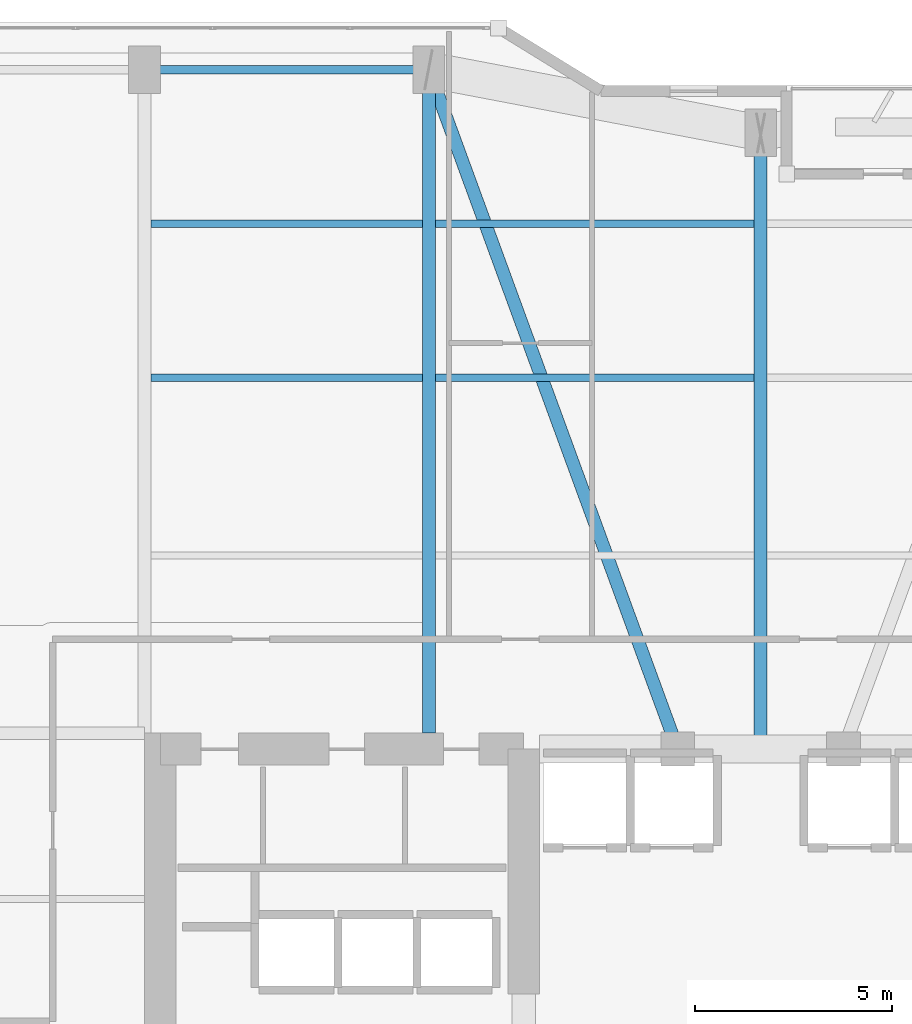
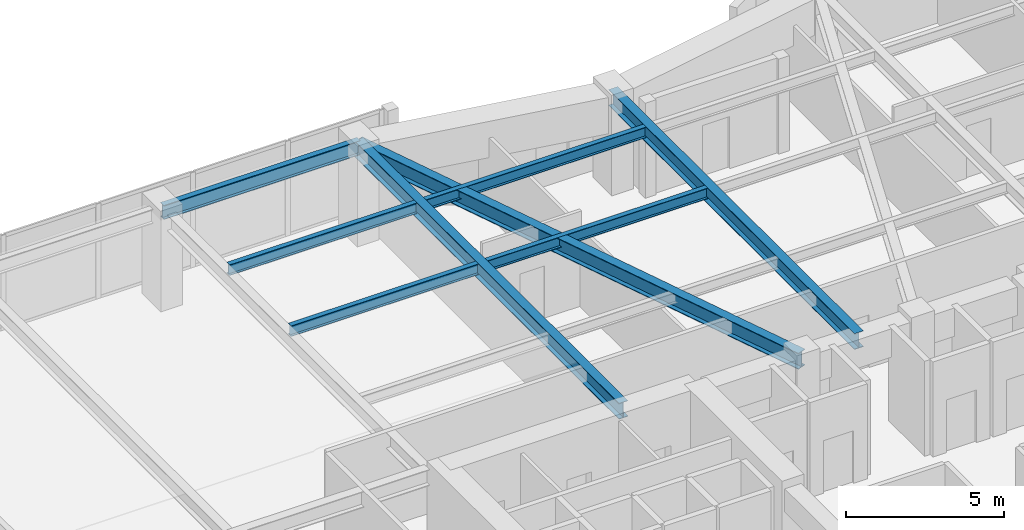
# One storey, part 18 of 30: 8 beams.
"""IFC4 building model written with IfcOpenShell, lengths in metres."""

from ifc_helpers import new_model, si_unit, direction, frame, origin, origin_2d, place, context, subcontext, project, spatial, i_section, extrude, material, material_profile, profile_set, type_object, element, save


model = new_model("IFC4")

# Units and contexts
model_context = context("Model", 3, precision=1e-05, world=origin(), true_north=direction((0.0, 1.0)))
body_context = subcontext(model_context, "Body", "Model", "MODEL_VIEW")
ifc_project = project(units=[si_unit("LENGTHUNIT", "METRE"), si_unit("AREAUNIT", "SQUARE_METRE"), si_unit("VOLUMEUNIT", "CUBIC_METRE"), si_unit("PLANEANGLEUNIT", "RADIAN"), si_unit("MASSUNIT", "GRAM", prefix="KILO")], contexts=[model_context])

# Site, building, storey
site_placement = place(None, origin())
site = spatial("IfcSite", under=ifc_project, at=site_placement, CompositionType="ELEMENT")
building_placement = place(site_placement, origin())
building = spatial("IfcBuilding", under=site, at=building_placement, Name="Kiyonajd Concourse Tower", CompositionType="ELEMENT")
storey_placement = place(building_placement, frame((0.0, 0.0, 154.5)))
storey = spatial("IfcBuildingStorey", under=building, at=storey_placement, Name="L39", CompositionType="ELEMENT", Elevation=154.5)

# Beams
ifc_material = material(Name="Steel ASTM A992 Grade 50", Category="steel")
ifc_material_profile_1 = material_profile(ifc_material, i_section(OverallWidth=0.180908203125, OverallDepth=0.4169921875, WebThickness=0.010986328125, FlangeThickness=0.018310546875, at=origin_2d()), Name="W410X85")
ifc_profile_set_1 = profile_set([ifc_material_profile_1], Name="Steel ASTM A992 Grade 50")
beam_type_1 = type_object("IfcBeamType", Name="BM-JST-410", PredefinedType="JOIST", material=ifc_profile_set_1)
beam_1_placement = place(storey_placement, frame((32.5634765625, 53.39990234375, 3.471435546875), z_axis=(1.0, 0.0, 0.0), x_axis=(0.0, 1.0, 0.0)))
element("IfcBeam", 1, at=beam_1_placement, inside=storey, type_object=beam_type_1, Name="L39 Secondary Floor Joist", PredefinedType="JOIST", context=body_context, shape_type="SweptSolid", body=[
    extrude(i_section(OverallWidth=0.180908203125, OverallDepth=0.4169921875, WebThickness=0.010986328125, FlangeThickness=0.018310546875, at=origin_2d()), origin(), (0.0, 0.0, 1.0), 6.873046875),
])
beam_2_placement = place(storey_placement, frame((39.763427734375, 53.39990234375, 3.471435546875), z_axis=(1.0, 0.0, 0.0), x_axis=(0.0, 1.0, 0.0)))
element("IfcBeam", 2, at=beam_2_placement, inside=storey, type_object=beam_type_1, Name="L39 Secondary Floor Joist", PredefinedType="JOIST", context=body_context, shape_type="SweptSolid", body=[
    extrude(i_section(OverallWidth=0.180908203125, OverallDepth=0.4169921875, WebThickness=0.010986328125, FlangeThickness=0.018310546875, at=origin_2d()), origin(), (0.0, 0.0, 1.0), 8.072998046875),
])
beam_3_placement = place(storey_placement, frame((32.5634765625, 57.300048828125, 3.471435546875), z_axis=(1.0, 0.0, 0.0), x_axis=(0.0, 1.0, 0.0)))
element("IfcBeam", 3, at=beam_3_placement, inside=storey, type_object=beam_type_1, Name="L39 Secondary Floor Joist", PredefinedType="JOIST", context=body_context, shape_type="SweptSolid", body=[
    extrude(i_section(OverallWidth=0.180908203125, OverallDepth=0.4169921875, WebThickness=0.010986328125, FlangeThickness=0.018310546875, at=origin_2d()), origin(), (0.0, 0.0, 1.0), 6.873046875),
])
beam_4_placement = place(storey_placement, frame((39.763427734375, 57.300048828125, 3.471435546875), z_axis=(1.0, 0.0, 0.0), x_axis=(0.0, 1.0, 0.0)))
element("IfcBeam", 4, at=beam_4_placement, inside=storey, type_object=beam_type_1, Name="L39 Secondary Floor Joist", PredefinedType="JOIST", context=body_context, shape_type="SweptSolid", body=[
    extrude(i_section(OverallWidth=0.180908203125, OverallDepth=0.4169921875, WebThickness=0.010986328125, FlangeThickness=0.018310546875, at=origin_2d()), origin(), (0.0, 0.0, 1.0), 8.072998046875),
])
ifc_material_profile_2 = material_profile(ifc_material, i_section(OverallWidth=0.214111328125, OverallDepth=0.549072265625, WebThickness=0.0146484375, FlangeThickness=0.023681640625, at=origin_2d()), Name="W530X138")
ifc_profile_set_2 = profile_set([ifc_material_profile_2], Name="Steel ASTM A992 Grade 50")
beam_type_2 = type_object("IfcBeamType", Name="BM-SPAN-530A", PredefinedType="SPANDREL", material=ifc_profile_set_2)
beam_5_placement = place(storey_placement, frame((39.60009765625, 61.199951171875, 3.405517578125), z_axis=(-1.0, 0.0, 0.0), x_axis=(0.0, -1.0, 0.0)))
element("IfcBeam", 5, at=beam_5_placement, inside=storey, type_object=beam_type_2, Name="L39 Perimeter Bundled Tube Spandrel", PredefinedType="SPANDREL", context=body_context, shape_type="SweptSolid", body=[
    extrude(i_section(OverallWidth=0.214111328125, OverallDepth=0.549072265625, WebThickness=0.0146484375, FlangeThickness=0.023681640625, at=origin_2d()), origin(), (0.0, 0.0, 1.0), 7.2001953125),
])
ifc_material_profile_3 = material_profile(ifc_material, i_section(OverallWidth=0.326904296875, OverallDepth=0.6220703125, WebThickness=0.015380859375, FlangeThickness=0.0244140625, at=origin_2d()), Name="W610X195")
ifc_profile_set_3 = profile_set([ifc_material_profile_3], Name="Steel ASTM A992 Grade 50")
beam_type_3 = type_object("IfcBeamType", Name="BM-TWR-610A", PredefinedType="BEAM", material=ifc_profile_set_3)
beam_6_placement = place(storey_placement, frame((39.60009765625, 61.199951171875, 3.368896484375), z_axis=(0.343925269715, -0.938997022813, 0.0), x_axis=(0.938997022813, 0.343925269715, 0.0)))
element("IfcBeam", 6, at=beam_6_placement, inside=storey, type_object=beam_type_3, Name="L39 Core Tie Girder", PredefinedType="BEAM", context=body_context, shape_type="SweptSolid", body=[
    extrude(i_section(OverallWidth=0.326904296875, OverallDepth=0.6220703125, WebThickness=0.015380859375, FlangeThickness=0.0244140625, at=origin_2d()), origin(), (0.0, 0.0, 1.0), 18.3173828125),
])
beam_7_placement = place(storey_placement, frame((39.60009765625, 44.39990234375, 3.368896484375), z_axis=(0.0, 1.0, 0.0), x_axis=(-1.0, 0.0, 0.0)))
element("IfcBeam", 7, at=beam_7_placement, inside=storey, type_object=beam_type_3, Name="L39 North Lease Girder", PredefinedType="BEAM", context=body_context, shape_type="SweptSolid", body=[
    extrude(i_section(OverallWidth=0.326904296875, OverallDepth=0.6220703125, WebThickness=0.015380859375, FlangeThickness=0.0244140625, at=origin_2d()), origin(), (0.0, 0.0, 1.0), 16.800048828125),
])
beam_8_placement = place(storey_placement, frame((48.0, 44.0, 3.368896484375), z_axis=(0.0, 1.0, 0.0), x_axis=(-1.0, 0.0, 0.0)))
element("IfcBeam", 8, at=beam_8_placement, inside=storey, type_object=beam_type_3, Name="L39 North Ribbon Girder", PredefinedType="BEAM", context=body_context, shape_type="SweptSolid", body=[
    extrude(i_section(OverallWidth=0.326904296875, OverallDepth=0.6220703125, WebThickness=0.015380859375, FlangeThickness=0.0244140625, at=origin_2d()), origin(), (0.0, 0.0, 1.0), 15.60009765625),
])

save(model, "model.ifc")
